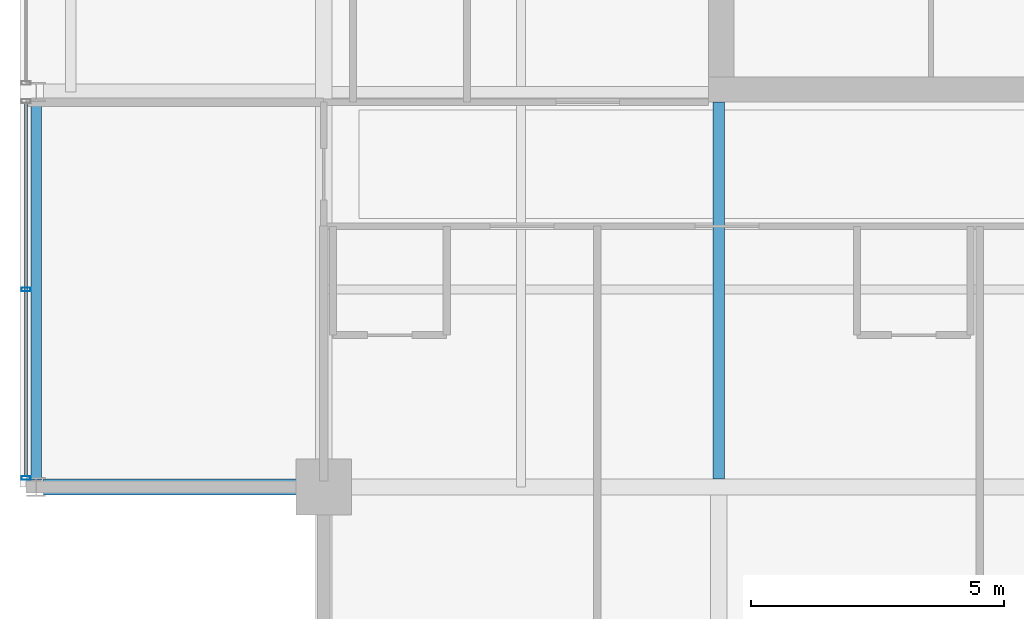
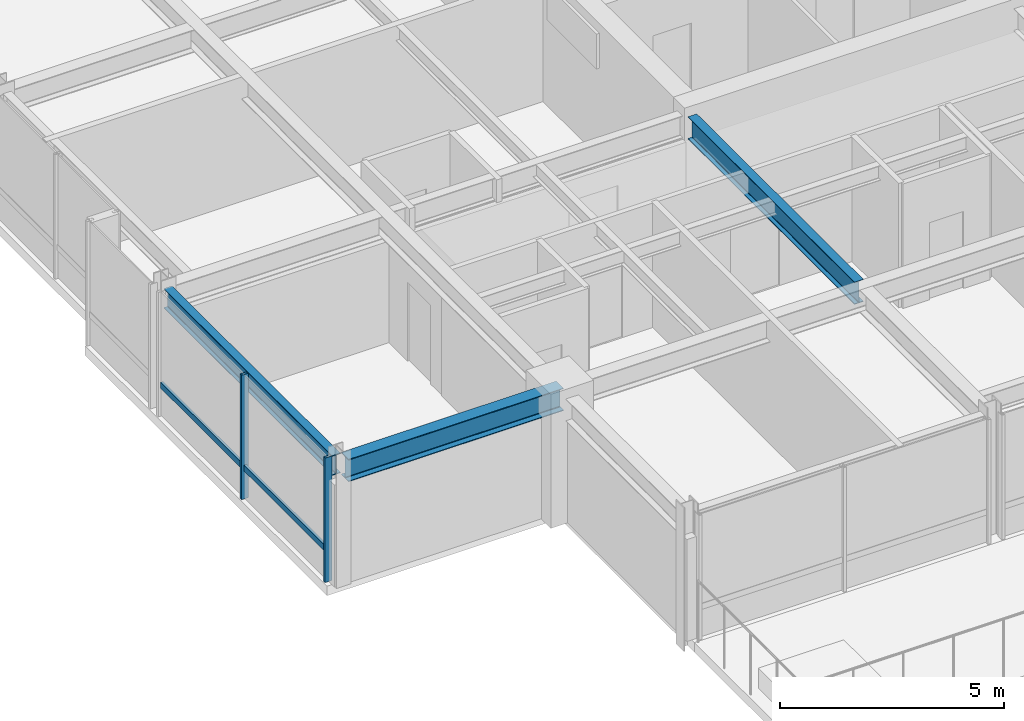
# One storey, part 4 of 32: 3 beams, 3 members, 1 element without a shape of its own.
"""IFC4 building model written with IfcOpenShell, lengths in metres."""

import ifcopenshell
import ifcopenshell.guid

model = None  # the IFC model being written
_history = None  # IfcOwnerHistory: only IFC2X3 demands one
_inside = {}  # id of a spatial element -> (the spatial element, [elements in it])
_under = {}  # id of a project, library or spatial element -> (it, [spatial elements below it])
_declared = {}  # id of a project -> (the project, [libraries it declares])
_typed = {}  # id of a type object -> (the type object, [elements of that type])
_made_of = {}  # id of a material, layer set ... -> (it, [elements and type objects made of it])


def new_model(schema):
    """Start an empty IFC model of exactly this schema.

    Asked for "IFC4X3", IfcOpenShell would pick the latest addendum, in which some entities
    have other attributes; the version numbers below select the first issue.
    IFC2X3 requires an IfcOwnerHistory on every rooted entity: one is made here for all.
    """
    global model, _history
    if schema == "IFC4X3":
        model = ifcopenshell.file(schema_version=(4, 3, 0, 0))
    else:
        model = ifcopenshell.file(schema=schema)
    _inside.clear()
    _under.clear()
    _declared.clear()
    _typed.clear()
    _made_of.clear()
    _history = None
    if model.schema == "IFC2X3":
        org = make("IfcOrganization", Name="unknown")
        user = make(
            "IfcPersonAndOrganization",
            ThePerson=make("IfcPerson", FamilyName="unknown"),
            TheOrganization=org,
        )
        app = make(
            "IfcApplication",
            ApplicationDeveloper=org,
            Version="unknown",
            ApplicationFullName="unknown",
            ApplicationIdentifier="unknown",
        )
        _history = make(
            "IfcOwnerHistory",
            OwningUser=user,
            OwningApplication=app,
            ChangeAction="ADDED",
            CreationDate=0,
        )
    return model


def make(cls, **values):
    """One entity of the class cls with the attributes given. An attribute that is None is left unset."""
    return model.create_entity(
        cls, **{name: value for name, value in values.items() if value is not None}
    )


def rooted(cls, **values):
    """An entity with a GlobalId (a new one), such as an element, a storey or a relation."""
    return make(cls, GlobalId=ifcopenshell.guid.new(), OwnerHistory=_history, **values)


def si_unit(unit_type, name, prefix=None):
    """IfcSIUnit, for example si_unit("LENGTHUNIT", "METRE", prefix="MILLI")."""
    return make("IfcSIUnit", UnitType=unit_type, Prefix=prefix, Name=name)


def assignment(units):
    """IfcUnitAssignment: the units of a project."""
    return None if units is None else make("IfcUnitAssignment", Units=units)


def point(xyz):
    """IfcCartesianPoint."""
    return None if xyz is None else make("IfcCartesianPoint", Coordinates=xyz)


def direction(xyz):
    """IfcDirection."""
    return None if xyz is None else make("IfcDirection", DirectionRatios=xyz)


def frame(location, z_axis=None, x_axis=None):
    """IfcAxis2Placement3D, a coordinate frame: its origin and axes. An axis left out is left unset."""
    return make(
        "IfcAxis2Placement3D",
        Location=point(location),
        Axis=direction(z_axis),
        RefDirection=direction(x_axis),
    )


def frame_2d(location, x_axis=None):
    """IfcAxis2Placement2D, a coordinate frame in the plane: its origin and x axis."""
    return make(
        "IfcAxis2Placement2D", Location=point(location), RefDirection=direction(x_axis)
    )


def origin():
    """The frame at (0, 0, 0) with its axes left unset."""
    return frame((0.0, 0.0, 0.0))


def origin_2d():
    """The frame at (0, 0) in the plane with its x axis left unset."""
    return frame_2d((0.0, 0.0))


def place(relative_to, where):
    """IfcLocalPlacement: puts the frame where relative to a parent placement (None: the world)."""
    return make(
        "IfcLocalPlacement", PlacementRelTo=relative_to, RelativePlacement=where
    )


def context(
    kind, dimensions, precision=None, world=None, true_north=None, identifier=None
):
    """IfcGeometricRepresentationContext, for example the 3D "Model" context."""
    return make(
        "IfcGeometricRepresentationContext",
        ContextIdentifier=identifier,
        ContextType=kind,
        CoordinateSpaceDimension=dimensions,
        Precision=precision,
        WorldCoordinateSystem=world,
        TrueNorth=true_north,
    )


def subcontext(parent, identifier, kind, view, scale=None):
    """IfcGeometricRepresentationSubContext, for example "Body" below "Model"."""
    return make(
        "IfcGeometricRepresentationSubContext",
        ContextIdentifier=identifier,
        ContextType=kind,
        ParentContext=parent,
        TargetScale=scale,
        TargetView=view,
    )


def project(units=None, contexts=None):
    """IfcProject with its units and contexts."""
    return rooted(
        "IfcProject",
        Name="project",
        RepresentationContexts=contexts,
        UnitsInContext=assignment(units),
    )


def spatial(cls, under=None, at=None, **own):
    """A site, building, storey or space (cls), placed at a placement, below another one or the project."""
    s = rooted(cls, ObjectPlacement=at, **own)
    if under is not None:
        _under.setdefault(under.id(), (under, []))[1].append(s)
    return s


def profile(cls, at=None, kind="AREA", **sizes):
    """A parametric profile (cls). Its sizes go by their IFC names, for example OverallWidth=200.0."""
    return make(cls, ProfileType=kind, Position=at, **sizes)


def hollow_rectangle(**sizes):
    """IfcRectangleHollowProfileDef."""
    return profile("IfcRectangleHollowProfileDef", **sizes)


def i_section(**sizes):
    """IfcIShapeProfileDef."""
    return profile("IfcIShapeProfileDef", **sizes)


def extrude(swept, where, along, depth):
    """IfcExtrudedAreaSolid: the profile swept, set in the frame where, extruded along a direction by depth."""
    return make(
        "IfcExtrudedAreaSolid",
        SweptArea=swept,
        Position=where,
        ExtrudedDirection=direction(along),
        Depth=depth,
    )


def shape(context_of_items, identifier, shape_type, items):
    """IfcShapeRepresentation: the items that make up one representation, for example the "Body"."""
    return make(
        "IfcShapeRepresentation",
        ContextOfItems=context_of_items,
        RepresentationIdentifier=identifier,
        RepresentationType=shape_type,
        Items=items,
    )


def material(Name=None, Category=None):
    """IfcMaterial."""
    return make("IfcMaterial", Name=Name, Category=Category)


def layer(
    of_material, thickness, ventilated=None, Name=None, Category=None, Priority=None
):
    """IfcMaterialLayer: one layer of a wall or slab, of a material (None: an air gap)."""
    return make(
        "IfcMaterialLayer",
        Material=of_material,
        LayerThickness=thickness,
        IsVentilated=ventilated,
        Name=Name,
        Category=Category,
        Priority=Priority,
    )


def layer_set(layers, Name=None):
    """IfcMaterialLayerSet."""
    return make("IfcMaterialLayerSet", MaterialLayers=layers, LayerSetName=Name)


def material_profile(
    of_material, cross_section, Name=None, Category=None, Priority=None
):
    """IfcMaterialProfile: a cross section and its material."""
    return make(
        "IfcMaterialProfile",
        Name=Name,
        Material=of_material,
        Profile=cross_section,
        Priority=Priority,
        Category=Category,
    )


def profile_set(profiles, Name=None, composite=None):
    """IfcMaterialProfileSet."""
    return make(
        "IfcMaterialProfileSet",
        Name=Name,
        MaterialProfiles=profiles,
        CompositeProfile=composite,
    )


def made_of(thing, what):
    """Note that an element or type object is made of a material, layer set ...; save() writes the relation."""
    if what is not None:
        _made_of.setdefault(what.id(), (what, []))[1].append(thing)
    return thing


def type_object(cls, material=None, **own):
    """A type object (cls), such as IfcWallType, which elements share."""
    return made_of(rooted(cls, **own), material)


def element(
    cls,
    number,
    at=None,
    inside=None,
    cuts=None,
    type_object=None,
    material=None,
    context=None,
    identifier="Body",
    shape_type=None,
    held_by="IfcProductDefinitionShape",
    body=None,
    shapes=None,
    **own,
):
    """One element of the class cls, such as IfcWall. Its Tag is "e" and its number.

    at: its placement. inside: the storey or other place that contains it. cuts: it is an
    opening in that element (IfcRelVoidsElement). A single representation is given by context,
    identifier, shape_type and body (its items); several are given by shapes. held_by: the class
    of the entity that holds the representations. save() writes the other relations.
    """
    e = rooted(cls, Tag="e%d" % number, ObjectPlacement=at, **own)
    if body is not None:
        shapes = [shape(context, identifier, shape_type, body)]
    if shapes is not None:
        e.Representation = make(held_by, Representations=shapes)
    if inside is not None:
        _inside.setdefault(inside.id(), (inside, []))[1].append(e)
    if cuts is not None:
        rooted(
            "IfcRelVoidsElement", RelatingBuildingElement=cuts, RelatedOpeningElement=e
        )
    if type_object is not None:
        _typed.setdefault(type_object.id(), (type_object, []))[1].append(e)
    return made_of(e, material)


def aggregate(whole, parts):
    """IfcRelAggregates: a whole, such as a stair, and the parts it consists of."""
    return rooted("IfcRelAggregates", RelatingObject=whole, RelatedObjects=parts)


def save(model, path):
    """Write the relations noted so far, then the file.

    IfcRelAggregates (storeys below a building ...), IfcRelContainedInSpatialStructure (elements
    in a storey), IfcRelDefinesByType, IfcRelAssociatesMaterial and IfcRelDeclares: one each for
    every whole, place, type object, material and project.
    """
    for whole, parts in _under.values():
        aggregate(whole, parts)
    for where, things in _inside.values():
        rooted(
            "IfcRelContainedInSpatialStructure",
            RelatedElements=things,
            RelatingStructure=where,
        )
    for kind, things in _typed.values():
        rooted("IfcRelDefinesByType", RelatedObjects=things, RelatingType=kind)
    for what, things in _made_of.values():
        rooted("IfcRelAssociatesMaterial", RelatedObjects=things, RelatingMaterial=what)
    for by, libraries in _declared.values():
        rooted("IfcRelDeclares", RelatingContext=by, RelatedDefinitions=libraries)
    model.write(path)


model = new_model("IFC4")

# Units and contexts
model_context = context("Model", 3, precision=1e-05, world=origin(), true_north=direction((0.0, 1.0)))
body_context = subcontext(model_context, "Body", "Model", "MODEL_VIEW")
ifc_project = project(units=[si_unit("LENGTHUNIT", "METRE"), si_unit("AREAUNIT", "SQUARE_METRE"), si_unit("VOLUMEUNIT", "CUBIC_METRE"), si_unit("PLANEANGLEUNIT", "RADIAN"), si_unit("MASSUNIT", "GRAM", prefix="KILO")], contexts=[model_context])

# Site, building, storey
site_placement = place(None, origin())
site = spatial("IfcSite", under=ifc_project, at=site_placement, CompositionType="ELEMENT")
building_placement = place(site_placement, origin())
building = spatial("IfcBuilding", under=site, at=building_placement, Name="Drelvath Grand Hotel", CompositionType="ELEMENT")
storey_placement = place(building_placement, frame((0.0, 0.0, 265.0)))
storey = spatial("IfcBuildingStorey", under=building, at=storey_placement, Name="L69", CompositionType="ELEMENT", Elevation=265.0)

# Curtain wall, members
ifc_material_1 = material(Name="Platinum-Mist Anodised Aluminium Frame", Category="aluminium")
ifc_layer = layer(ifc_material_1, 0.199951171875)
ifc_layer_set = layer_set([ifc_layer], Name="Platinum-Mist Anodised Aluminium Frame")
curtain_wall_type = type_object("IfcCurtainWallType", Name="Stick Curtain Wall CW-05 Platinum Mist High-Rise", PredefinedType="NOTDEFINED", material=ifc_layer_set)
curtain_wall_placement = place(storey_placement, origin())
curtain_wall = element("IfcCurtainWall", 1, at=curtain_wall_placement, inside=storey, type_object=curtain_wall_type, Name="L69 CW-05 Curtain Wall CW05-L69-WS1", PredefinedType="NOTDEFINED")
ifc_material_profile_1 = material_profile(ifc_material_1, hollow_rectangle(XDim=0.06494140625, YDim=0.159912109375, WallThickness=0.00390625, at=origin_2d()), Name="HSS160X65X4")
ifc_profile_set_1 = profile_set([ifc_material_profile_1], Name="Platinum-Mist Anodised Aluminium Frame")
member_type_1 = type_object("IfcMemberType", Name="Curtain Wall Horizontal Transom CW-05 HSS160X65X4", PredefinedType="USERDEFINED", material=ifc_profile_set_1)
member_1_placement = place(storey_placement, frame((-22.080078125, 11.018310546875, 0.847412109375), z_axis=(0.0, 1.0, 0.0), x_axis=(-1.0, 0.0, 0.0)))
member_1 = element("IfcMember", 2, at=member_1_placement, type_object=member_type_1, Name="CW05-L69-WS1 Sill Transom", ObjectType="TRANSOM", PredefinedType="USERDEFINED", context=body_context, shape_type="SweptSolid", body=[
    extrude(hollow_rectangle(XDim=0.06494140625, YDim=0.159912109375, WallThickness=0.00390625, at=origin_2d()), origin(), (0.0, 0.0, 1.0), 7.363525390625),
])
ifc_material_profile_2 = material_profile(ifc_material_1, hollow_rectangle(XDim=0.074951171875, YDim=0.179931640625, WallThickness=0.0048828125, at=origin_2d()), Name="HSS180X75X5")
ifc_profile_set_2 = profile_set([ifc_material_profile_2], Name="Platinum-Mist Anodised Aluminium Frame")
member_type_2 = type_object("IfcMemberType", Name="Curtain Wall Vertical Mullion CW-05 HSS180X75X5", PredefinedType="MULLION", material=ifc_profile_set_2)
member_2_placement = place(storey_placement, frame((-22.080078125, 10.978271484375, 0.0), z_axis=(0.0, 0.0, 1.0), x_axis=(0.0, 1.0, 0.0)))
member_2 = element("IfcMember", 3, at=member_2_placement, type_object=member_type_2, Name="CW05-L69-WS1 Mullion 1", PredefinedType="MULLION", context=body_context, shape_type="SweptSolid", body=[
    extrude(hollow_rectangle(XDim=0.074951171875, YDim=0.179931640625, WallThickness=0.0048828125, at=origin_2d()), origin(), (0.0, 0.0, 1.0), 3.389892578125),
])
member_3_placement = place(storey_placement, frame((-22.080078125, 14.699951171875, 0.0), z_axis=(0.0, 0.0, 1.0), x_axis=(0.0, 1.0, 0.0)))
member_3 = element("IfcMember", 4, at=member_3_placement, type_object=member_type_2, Name="CW05-L69-WS1 Mullion 2", PredefinedType="MULLION", context=body_context, shape_type="SweptSolid", body=[
    extrude(hollow_rectangle(XDim=0.074951171875, YDim=0.179931640625, WallThickness=0.0048828125, at=origin_2d()), origin(), (0.0, 0.0, 1.0), 3.389892578125),
])
aggregate(curtain_wall, [member_2, member_3, member_1])

# Beams
ifc_material_2 = material(Name="Steel ASTM A992 Gr 50", Category="steel")
ifc_material_profile_3 = material_profile(ifc_material_2, i_section(OverallWidth=0.210205078125, OverallDepth=0.53662109375, WebThickness=0.010986328125, FlangeThickness=0.017333984375, FilletRadius=0.01806640625, at=origin_2d()), Name="W21X68")
ifc_profile_set_3 = profile_set([ifc_material_profile_3], Name="Steel ASTM A992 Gr 50")
beam_type_1 = type_object("IfcBeamType", Name="Perimeter Spandrel Beam W21X68", PredefinedType="SPANDREL", material=ifc_profile_set_3)
beam_1_placement = place(storey_placement, frame((-21.8798828125, 10.93994140625, 3.12158203125), z_axis=(0.0, 1.0, 0.0), x_axis=(-1.0, 0.0, 0.0)))
element("IfcBeam", 5, at=beam_1_placement, inside=storey, type_object=beam_type_1, Name="L69 Spandrel West S", PredefinedType="SPANDREL", context=body_context, shape_type="SweptSolid", body=[
    extrude(i_section(OverallWidth=0.210205078125, OverallDepth=0.53662109375, WebThickness=0.010986328125, FlangeThickness=0.017333984375, FilletRadius=0.01806640625, at=origin_2d()), origin(), (0.0, 0.0, 1.0), 7.52001953125),
])
ifc_material_profile_4 = material_profile(ifc_material_2, i_section(OverallWidth=0.323974609375, OverallDepth=0.611083984375, WebThickness=0.0126953125, FlangeThickness=0.01904296875, FilletRadius=0.02197265625, at=origin_2d()), Name="W24X104")
ifc_profile_set_4 = profile_set([ifc_material_profile_4], Name="Steel ASTM A992 Gr 50")
beam_type_2 = type_object("IfcBeamType", Name="Primary Floor Girder W24X104", PredefinedType="BEAM", material=ifc_profile_set_4)
beam_2_placement = place(storey_placement, frame((-21.739990234375, 10.800048828125, 3.08447265625), z_axis=(1.0, 0.0, 0.0), x_axis=(0.0, 1.0, 0.0)))
element("IfcBeam", 6, at=beam_2_placement, inside=storey, type_object=beam_type_2, Name="L69 West Grid Girder C", PredefinedType="BEAM", context=body_context, shape_type="SweptSolid", body=[
    extrude(i_section(OverallWidth=0.323974609375, OverallDepth=0.611083984375, WebThickness=0.0126953125, FlangeThickness=0.01904296875, FilletRadius=0.02197265625, at=origin_2d()), origin(), (0.0, 0.0, 1.0), 5.5400390625),
])
ifc_material_profile_5 = material_profile(ifc_material_2, i_section(OverallWidth=0.228271484375, OverallDepth=0.607666015625, WebThickness=0.01123046875, FlangeThickness=0.017333984375, FilletRadius=0.02001953125, at=origin_2d()), Name="W24X76")
ifc_profile_set_5 = profile_set([ifc_material_profile_5], Name="Steel ASTM A992 Gr 50")
beam_type_3 = type_object("IfcBeamType", Name="Primary Floor Girder W24X76", PredefinedType="BEAM", material=ifc_profile_set_5)
beam_3_placement = place(storey_placement, frame((-8.39990234375, 10.9619140625, 3.086181640625), z_axis=(0.0, 1.0, 0.0), x_axis=(-1.0, 0.0, 0.0)))
element("IfcBeam", 7, at=beam_3_placement, inside=storey, type_object=beam_type_3, Name="L69 South Core Tie 4", PredefinedType="BEAM", context=body_context, shape_type="SweptSolid", body=[
    extrude(i_section(OverallWidth=0.228271484375, OverallDepth=0.607666015625, WebThickness=0.01123046875, FlangeThickness=0.017333984375, FilletRadius=0.02001953125, at=origin_2d()), origin(), (0.0, 0.0, 1.0), 7.43798828125),
])

save(model, "model.ifc")
